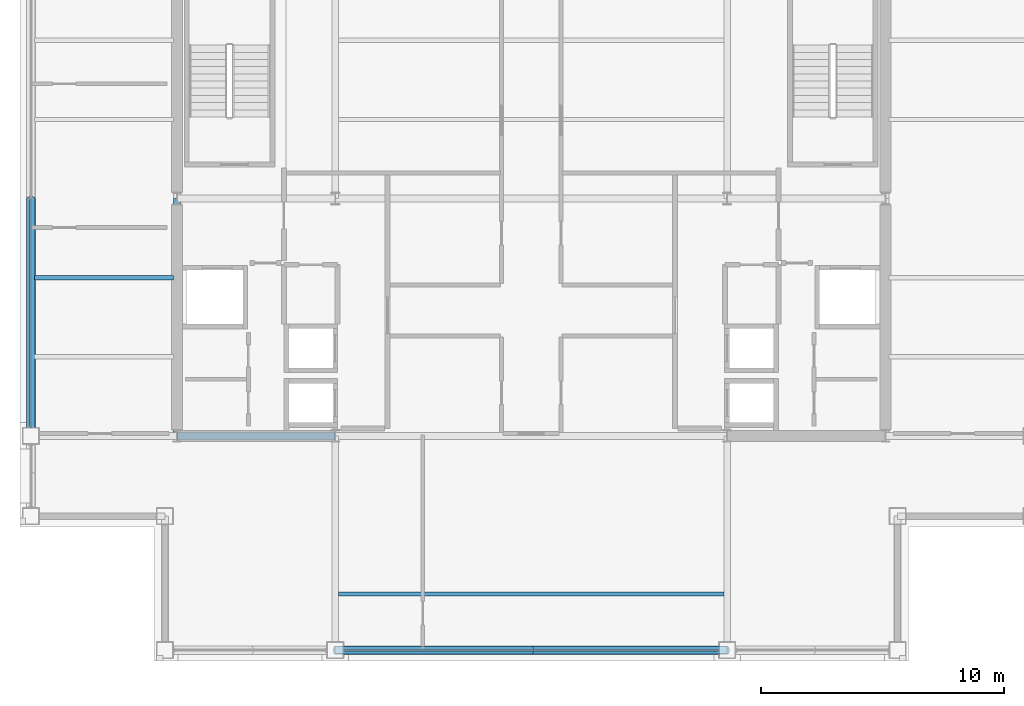
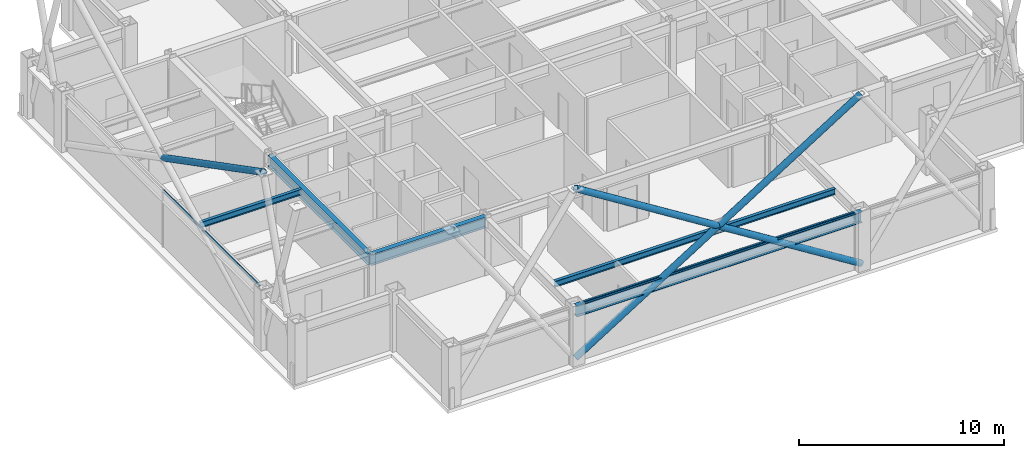
# One storey, part 7 of 33: 6 members, 5 beams, 2 elements without a shape of their own.
"""IFC4 building model written with IfcOpenShell, lengths in metres."""

from ifc_helpers import new_model, si_unit, direction, frame, origin, origin_2d, place, context, subcontext, project, spatial, hollow_rectangle, hollow_circle, i_section, extrude, material, layer, layer_set, material_profile, profile_set, type_object, element, aggregate, save


model = new_model("IFC4")

# Units and contexts
model_context = context("Model", 3, precision=1e-05, world=origin(), true_north=direction((0.0, 1.0)))
body_context = subcontext(model_context, "Body", "Model", "MODEL_VIEW")
ifc_project = project(units=[si_unit("LENGTHUNIT", "METRE"), si_unit("AREAUNIT", "SQUARE_METRE"), si_unit("VOLUMEUNIT", "CUBIC_METRE"), si_unit("PLANEANGLEUNIT", "RADIAN"), si_unit("MASSUNIT", "GRAM", prefix="KILO")], contexts=[model_context])

# Site, building, storey
site_placement = place(None, origin())
site = spatial("IfcSite", under=ifc_project, at=site_placement, CompositionType="ELEMENT")
building_placement = place(site_placement, origin())
building = spatial("IfcBuilding", under=site, at=building_placement, Name="Brelmoor Portico Tower", CompositionType="ELEMENT")
storey_placement = place(building_placement, frame((0.0, 0.0, 194.699951171875)))
storey = spatial("IfcBuildingStorey", under=building, at=storey_placement, Name="L51", CompositionType="ELEMENT", Elevation=194.699951171875)

# Beams
ifc_material_1 = material(Name="Steel Q355B", Category="steel")
ifc_material_profile_1 = material_profile(ifc_material_1, i_section(OverallWidth=0.175048828125, OverallDepth=0.35009765625, WebThickness=0.007080078125, FlangeThickness=0.010986328125, at=origin_2d()), Name="HN 350x175x7x11")
ifc_profile_set_1 = profile_set([ifc_material_profile_1], Name="Steel Q355B")
beam_type_1 = type_object("IfcBeamType", Name="BM-JS-350", PredefinedType="JOIST", material=ifc_profile_set_1)
beam_1_placement = place(storey_placement, frame((-7.909912109375, -16.25, 3.22509765625), z_axis=(1.0, 0.0, 0.0), x_axis=(0.0, 1.0, 0.0)))
element("IfcBeam", 1, at=beam_1_placement, inside=storey, type_object=beam_type_1, Name="L51 Secondary Composite Joist JS-C01", PredefinedType="JOIST", context=body_context, shape_type="SweptSolid", body=[
    extrude(i_section(OverallWidth=0.175048828125, OverallDepth=0.35009765625, WebThickness=0.007080078125, FlangeThickness=0.010986328125, at=origin_2d()), origin(), (0.0, 0.0, 1.0), 15.81982421875),
])
beam_2_placement = place(storey_placement, frame((-20.409912109375, -3.25, 3.22509765625), z_axis=(1.0, 0.0, 0.0), x_axis=(0.0, 1.0, 0.0)))
element("IfcBeam", 2, at=beam_2_placement, inside=storey, type_object=beam_type_1, Name="L51 Secondary Wing Joist JS-W06", PredefinedType="JOIST", context=body_context, shape_type="SweptSolid", body=[
    extrude(i_section(OverallWidth=0.175048828125, OverallDepth=0.35009765625, WebThickness=0.007080078125, FlangeThickness=0.010986328125, at=origin_2d()), origin(), (0.0, 0.0, 1.0), 5.719970703125),
])
ifc_material_profile_2 = material_profile(ifc_material_1, i_section(OverallWidth=0.280029296875, OverallDepth=0.64990234375, WebThickness=0.012939453125, FlangeThickness=0.02197265625, at=origin_2d()), Name="HN 650x280x13x22")
ifc_profile_set_2 = profile_set([ifc_material_profile_2], Name="Steel Q355B")
beam_type_2 = type_object("IfcBeamType", Name="BM-PG-650", PredefinedType="BEAM", material=ifc_profile_set_2)
beam_3_placement = place(storey_placement, frame((-14.550048828125, -9.75, 3.074951171875), z_axis=(0.0, 1.0, 0.0), x_axis=(-1.0, 0.0, 0.0)))
element("IfcBeam", 3, at=beam_3_placement, inside=storey, type_object=beam_type_2, Name="L51 Primary Floor Girder PG-01", PredefinedType="BEAM", context=body_context, shape_type="SweptSolid", body=[
    extrude(i_section(OverallWidth=0.280029296875, OverallDepth=0.64990234375, WebThickness=0.012939453125, FlangeThickness=0.02197265625, at=origin_2d()), origin(), (0.0, 0.0, 1.0), 9.75),
])
beam_4_placement = place(storey_placement, frame((-14.550048828125, -9.75, 3.074951171875), z_axis=(1.0, 0.0, 0.0), x_axis=(0.0, 1.0, 0.0)))
element("IfcBeam", 4, at=beam_4_placement, inside=storey, type_object=beam_type_2, Name="L51 Primary Floor Girder PG-12", PredefinedType="BEAM", context=body_context, shape_type="SweptSolid", body=[
    extrude(i_section(OverallWidth=0.280029296875, OverallDepth=0.64990234375, WebThickness=0.012939453125, FlangeThickness=0.02197265625, at=origin_2d()), origin(), (0.0, 0.0, 1.0), 6.5),
])
ifc_material_profile_3 = material_profile(ifc_material_1, i_section(OverallWidth=0.280029296875, OverallDepth=0.64990234375, WebThickness=0.012939453125, FlangeThickness=0.02197265625, at=origin_2d()), Name="HN 650x280x13x22")
ifc_profile_set_3 = profile_set([ifc_material_profile_3], Name="Steel Q355B")
beam_type_3 = type_object("IfcBeamType", Name="BM-SP-650", PredefinedType="SPANDREL", material=ifc_profile_set_3)
beam_5_placement = place(storey_placement, frame((-8.050048828125, -18.550048828125, 3.074951171875), z_axis=(1.0, 0.0, 0.0), x_axis=(0.0, 1.0, 0.0)))
element("IfcBeam", 5, at=beam_5_placement, inside=storey, type_object=beam_type_3, Name="L51 Perimeter Spandrel Beam SP-02", PredefinedType="SPANDREL", context=body_context, shape_type="SweptSolid", body=[
    extrude(i_section(OverallWidth=0.280029296875, OverallDepth=0.64990234375, WebThickness=0.012939453125, FlangeThickness=0.02197265625, at=origin_2d()), origin(), (0.0, 0.0, 1.0), 16.10009765625),
])

# Members
ifc_material_profile_4 = material_profile(ifc_material_1, hollow_circle(Radius=0.177978515625, WallThickness=0.01611328125, at=origin_2d()), Name="CHS 356x16")
ifc_profile_set_4 = profile_set([ifc_material_profile_4], Name="Steel Q355B")
member_type_1 = type_object("IfcMemberType", Name="MB-BELT-DIAG2", PredefinedType="BRACE", material=ifc_profile_set_4)
member_1_placement = place(storey_placement, frame((-8.050048828125, -18.550048828125, 0.25), z_axis=(0.847109476093, 0.0, 0.531418418493), x_axis=(0.0, 1.0, 0.0)))
element("IfcMember", 6, at=member_1_placement, inside=storey, type_object=member_type_1, Name="L51 Continuous Mega-X Brace 117A", PredefinedType="BRACE", context=body_context, shape_type="SweptSolid", body=[
    extrude(hollow_circle(Radius=0.177978515625, WallThickness=0.01611328125, at=origin_2d()), origin(), (0.0, 0.0, 1.0), 19.005859375),
])
for number, where, z_axis, x_axis, name in (
    (7, (8.050048828125, -18.550048828125, 0.25), (-0.847109476093, 0.0, 0.531418418493), (0.0, -1.0, 0.0), "L51 Split Mega-X Brace 117B1"),
    (8, (0.0, -18.550048828125, 5.300048828125), (-0.847109476093, 0.0, 0.531418418493), (0.0, -1.0, 0.0), "L51 Split Mega-X Brace 117B2"),
):
    element("IfcMember", number, at=place(storey_placement, frame(where, z_axis=z_axis, x_axis=x_axis)), inside=storey, type_object=member_type_1, Name=name, PredefinedType="BRACE", context=body_context, shape_type="SweptSolid", body=[
        extrude(hollow_circle(Radius=0.177978515625, WallThickness=0.01611328125, at=origin_2d()), origin(), (0.0, 0.0, 1.0), 9.5029296875),
    ])
member_2_placement = place(storey_placement, frame((-20.550048828125, 0.0, 5.300048828125), z_axis=(0.0, -0.887959386012, 0.459921872488), x_axis=(1.0, 0.0, 0.0)))
element("IfcMember", 9, at=member_2_placement, inside=storey, type_object=member_type_1, Name="L51 Split Mega-X Brace 123B2", PredefinedType="BRACE", context=body_context, shape_type="SweptSolid", body=[
    extrude(hollow_circle(Radius=0.177978515625, WallThickness=0.01611328125, at=origin_2d()), origin(), (0.0, 0.0, 1.0), 10.980224609375),
])

# Curtain wall, member
ifc_material_2 = material(Name="Anodised Aluminium Alloy 6063-T6", Category="aluminium")
ifc_layer = layer(ifc_material_2, 0.179931640625)
ifc_layer_set = layer_set([ifc_layer], Name="Anodised Aluminium Alloy 6063-T6")
curtain_wall_type = type_object("IfcCurtainWallType", Name="CW-TOWER-Z3-XB", PredefinedType="NOTDEFINED", material=ifc_layer_set)
curtain_wall_1_placement = place(storey_placement, origin())
curtain_wall_1 = element("IfcCurtainWall", 10, at=curtain_wall_1_placement, inside=storey, type_object=curtain_wall_type, Name="L51 Curtain Wall CW-L51-01-2", PredefinedType="NOTDEFINED")
ifc_material_profile_5 = material_profile(ifc_material_2, hollow_rectangle(XDim=0.06005859375, YDim=0.125, WallThickness=0.00341796875, at=origin_2d()), Name="ALU TRANSOM 60x125")
ifc_profile_set_5 = profile_set([ifc_material_profile_5], Name="Anodised Aluminium Alloy 6063-T6")
member_type_2 = type_object("IfcMemberType", Name="MB-CW-TRAN-125", PredefinedType="USERDEFINED", material=ifc_profile_set_5)
member_3_placement = place(storey_placement, frame((-7.68994140625, -18.550048828125, 3.337646484375), z_axis=(1.0, 0.0, 0.0), x_axis=(0.0, 1.0, 0.0)))
member_3 = element("IfcMember", 11, at=member_3_placement, type_object=member_type_2, Name="CW-L51-01-2 Transom 1-00", ObjectType="TRANSOM", PredefinedType="USERDEFINED", context=body_context, shape_type="SweptSolid", body=[
    extrude(hollow_rectangle(XDim=0.06005859375, YDim=0.125, WallThickness=0.00341796875, at=origin_2d()), origin(), (0.0, 0.0, 1.0), 15.3798828125),
])
aggregate(curtain_wall_1, [member_3])

curtain_wall_2_placement = place(storey_placement, origin())
curtain_wall_2 = element("IfcCurtainWall", 12, at=curtain_wall_2_placement, inside=storey, type_object=curtain_wall_type, Name="L51 Curtain Wall CW-L51-03-2", PredefinedType="NOTDEFINED")
member_4_placement = place(storey_placement, frame((-20.550048828125, -9.389892578125, 3.337646484375), z_axis=(0.0, 1.0, 0.0), x_axis=(-1.0, 0.0, 0.0)))
member_4 = element("IfcMember", 13, at=member_4_placement, type_object=member_type_2, Name="CW-L51-03-2 Transom 1-00", ObjectType="TRANSOM", PredefinedType="USERDEFINED", context=body_context, shape_type="SweptSolid", body=[
    extrude(hollow_rectangle(XDim=0.06005859375, YDim=0.125, WallThickness=0.00341796875, at=origin_2d()), origin(), (0.0, 0.0, 1.0), 9.389892578125),
])
aggregate(curtain_wall_2, [member_4])

save(model, "model.ifc")
